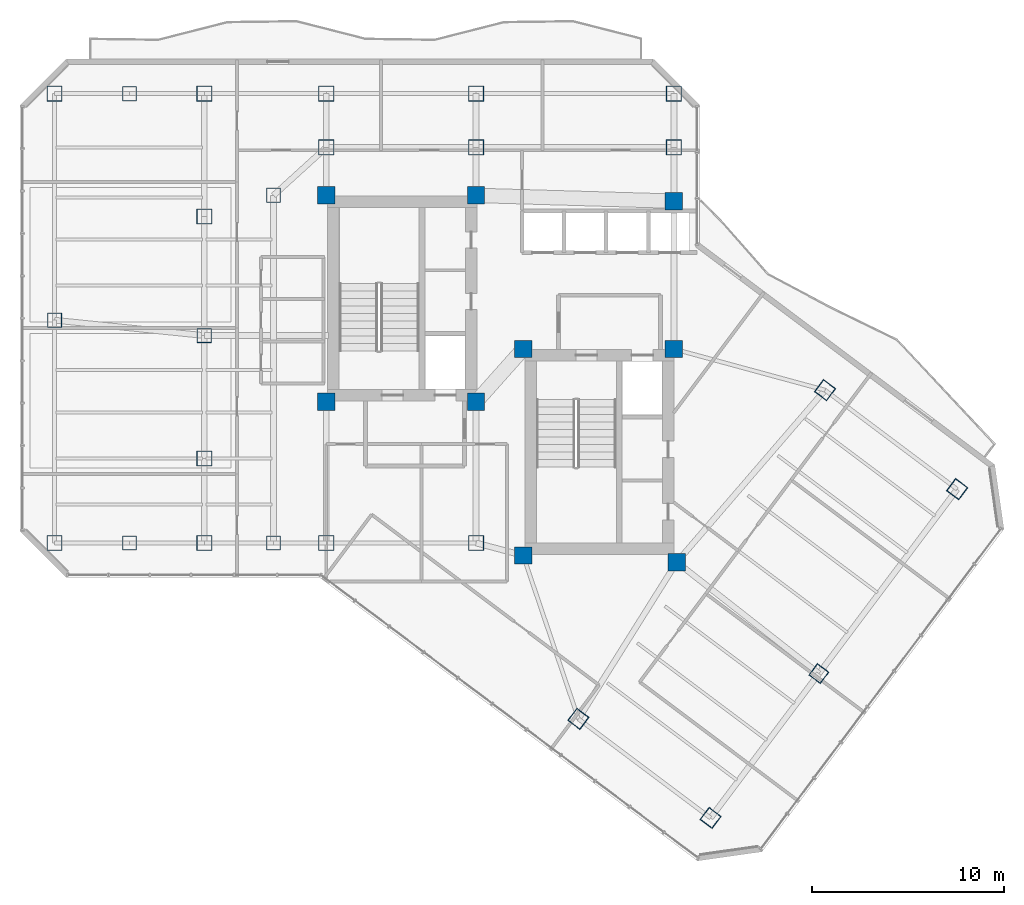
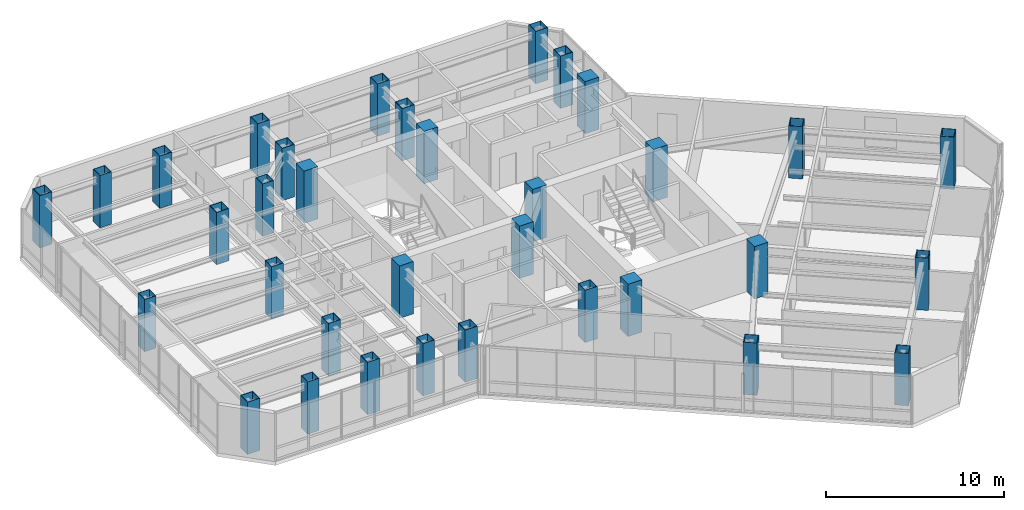
# One storey, part 1 of 29: 34 columns.
"""IFC4 building model written with IfcOpenShell, lengths in metres."""

import ifcopenshell
import ifcopenshell.guid

model = None  # the IFC model being written
_history = None  # IfcOwnerHistory: only IFC2X3 demands one
_inside = {}  # id of a spatial element -> (the spatial element, [elements in it])
_under = {}  # id of a project, library or spatial element -> (it, [spatial elements below it])
_declared = {}  # id of a project -> (the project, [libraries it declares])
_typed = {}  # id of a type object -> (the type object, [elements of that type])
_made_of = {}  # id of a material, layer set ... -> (it, [elements and type objects made of it])


def new_model(schema):
    """Start an empty IFC model of exactly this schema.

    Asked for "IFC4X3", IfcOpenShell would pick the latest addendum, in which some entities
    have other attributes; the version numbers below select the first issue.
    IFC2X3 requires an IfcOwnerHistory on every rooted entity: one is made here for all.
    """
    global model, _history
    if schema == "IFC4X3":
        model = ifcopenshell.file(schema_version=(4, 3, 0, 0))
    else:
        model = ifcopenshell.file(schema=schema)
    _inside.clear()
    _under.clear()
    _declared.clear()
    _typed.clear()
    _made_of.clear()
    _history = None
    if model.schema == "IFC2X3":
        org = make("IfcOrganization", Name="unknown")
        user = make(
            "IfcPersonAndOrganization",
            ThePerson=make("IfcPerson", FamilyName="unknown"),
            TheOrganization=org,
        )
        app = make(
            "IfcApplication",
            ApplicationDeveloper=org,
            Version="unknown",
            ApplicationFullName="unknown",
            ApplicationIdentifier="unknown",
        )
        _history = make(
            "IfcOwnerHistory",
            OwningUser=user,
            OwningApplication=app,
            ChangeAction="ADDED",
            CreationDate=0,
        )
    return model


def make(cls, **values):
    """One entity of the class cls with the attributes given. An attribute that is None is left unset."""
    return model.create_entity(
        cls, **{name: value for name, value in values.items() if value is not None}
    )


def rooted(cls, **values):
    """An entity with a GlobalId (a new one), such as an element, a storey or a relation."""
    return make(cls, GlobalId=ifcopenshell.guid.new(), OwnerHistory=_history, **values)


def si_unit(unit_type, name, prefix=None):
    """IfcSIUnit, for example si_unit("LENGTHUNIT", "METRE", prefix="MILLI")."""
    return make("IfcSIUnit", UnitType=unit_type, Prefix=prefix, Name=name)


def assignment(units):
    """IfcUnitAssignment: the units of a project."""
    return None if units is None else make("IfcUnitAssignment", Units=units)


def point(xyz):
    """IfcCartesianPoint."""
    return None if xyz is None else make("IfcCartesianPoint", Coordinates=xyz)


def direction(xyz):
    """IfcDirection."""
    return None if xyz is None else make("IfcDirection", DirectionRatios=xyz)


def frame(location, z_axis=None, x_axis=None):
    """IfcAxis2Placement3D, a coordinate frame: its origin and axes. An axis left out is left unset."""
    return make(
        "IfcAxis2Placement3D",
        Location=point(location),
        Axis=direction(z_axis),
        RefDirection=direction(x_axis),
    )


def frame_2d(location, x_axis=None):
    """IfcAxis2Placement2D, a coordinate frame in the plane: its origin and x axis."""
    return make(
        "IfcAxis2Placement2D", Location=point(location), RefDirection=direction(x_axis)
    )


def origin():
    """The frame at (0, 0, 0) with its axes left unset."""
    return frame((0.0, 0.0, 0.0))


def origin_2d():
    """The frame at (0, 0) in the plane with its x axis left unset."""
    return frame_2d((0.0, 0.0))


def place(relative_to, where):
    """IfcLocalPlacement: puts the frame where relative to a parent placement (None: the world)."""
    return make(
        "IfcLocalPlacement", PlacementRelTo=relative_to, RelativePlacement=where
    )


def context(
    kind, dimensions, precision=None, world=None, true_north=None, identifier=None
):
    """IfcGeometricRepresentationContext, for example the 3D "Model" context."""
    return make(
        "IfcGeometricRepresentationContext",
        ContextIdentifier=identifier,
        ContextType=kind,
        CoordinateSpaceDimension=dimensions,
        Precision=precision,
        WorldCoordinateSystem=world,
        TrueNorth=true_north,
    )


def subcontext(parent, identifier, kind, view, scale=None):
    """IfcGeometricRepresentationSubContext, for example "Body" below "Model"."""
    return make(
        "IfcGeometricRepresentationSubContext",
        ContextIdentifier=identifier,
        ContextType=kind,
        ParentContext=parent,
        TargetScale=scale,
        TargetView=view,
    )


def project(units=None, contexts=None):
    """IfcProject with its units and contexts."""
    return rooted(
        "IfcProject",
        Name="project",
        RepresentationContexts=contexts,
        UnitsInContext=assignment(units),
    )


def spatial(cls, under=None, at=None, **own):
    """A site, building, storey or space (cls), placed at a placement, below another one or the project."""
    s = rooted(cls, ObjectPlacement=at, **own)
    if under is not None:
        _under.setdefault(under.id(), (under, []))[1].append(s)
    return s


def profile(cls, at=None, kind="AREA", **sizes):
    """A parametric profile (cls). Its sizes go by their IFC names, for example OverallWidth=200.0."""
    return make(cls, ProfileType=kind, Position=at, **sizes)


def rectangle(**sizes):
    """IfcRectangleProfileDef."""
    return profile("IfcRectangleProfileDef", **sizes)


def hollow_rectangle(**sizes):
    """IfcRectangleHollowProfileDef."""
    return profile("IfcRectangleHollowProfileDef", **sizes)


def extrude(swept, where, along, depth):
    """IfcExtrudedAreaSolid: the profile swept, set in the frame where, extruded along a direction by depth."""
    return make(
        "IfcExtrudedAreaSolid",
        SweptArea=swept,
        Position=where,
        ExtrudedDirection=direction(along),
        Depth=depth,
    )


def shape(context_of_items, identifier, shape_type, items):
    """IfcShapeRepresentation: the items that make up one representation, for example the "Body"."""
    return make(
        "IfcShapeRepresentation",
        ContextOfItems=context_of_items,
        RepresentationIdentifier=identifier,
        RepresentationType=shape_type,
        Items=items,
    )


def material(Name=None, Category=None):
    """IfcMaterial."""
    return make("IfcMaterial", Name=Name, Category=Category)


def material_profile(
    of_material, cross_section, Name=None, Category=None, Priority=None
):
    """IfcMaterialProfile: a cross section and its material."""
    return make(
        "IfcMaterialProfile",
        Name=Name,
        Material=of_material,
        Profile=cross_section,
        Priority=Priority,
        Category=Category,
    )


def profile_set(profiles, Name=None, composite=None):
    """IfcMaterialProfileSet."""
    return make(
        "IfcMaterialProfileSet",
        Name=Name,
        MaterialProfiles=profiles,
        CompositeProfile=composite,
    )


def made_of(thing, what):
    """Note that an element or type object is made of a material, layer set ...; save() writes the relation."""
    if what is not None:
        _made_of.setdefault(what.id(), (what, []))[1].append(thing)
    return thing


def type_object(cls, material=None, **own):
    """A type object (cls), such as IfcWallType, which elements share."""
    return made_of(rooted(cls, **own), material)


def element(
    cls,
    number,
    at=None,
    inside=None,
    cuts=None,
    type_object=None,
    material=None,
    context=None,
    identifier="Body",
    shape_type=None,
    held_by="IfcProductDefinitionShape",
    body=None,
    shapes=None,
    **own,
):
    """One element of the class cls, such as IfcWall. Its Tag is "e" and its number.

    at: its placement. inside: the storey or other place that contains it. cuts: it is an
    opening in that element (IfcRelVoidsElement). A single representation is given by context,
    identifier, shape_type and body (its items); several are given by shapes. held_by: the class
    of the entity that holds the representations. save() writes the other relations.
    """
    e = rooted(cls, Tag="e%d" % number, ObjectPlacement=at, **own)
    if body is not None:
        shapes = [shape(context, identifier, shape_type, body)]
    if shapes is not None:
        e.Representation = make(held_by, Representations=shapes)
    if inside is not None:
        _inside.setdefault(inside.id(), (inside, []))[1].append(e)
    if cuts is not None:
        rooted(
            "IfcRelVoidsElement", RelatingBuildingElement=cuts, RelatedOpeningElement=e
        )
    if type_object is not None:
        _typed.setdefault(type_object.id(), (type_object, []))[1].append(e)
    return made_of(e, material)


def aggregate(whole, parts):
    """IfcRelAggregates: a whole, such as a stair, and the parts it consists of."""
    return rooted("IfcRelAggregates", RelatingObject=whole, RelatedObjects=parts)


def save(model, path):
    """Write the relations noted so far, then the file.

    IfcRelAggregates (storeys below a building ...), IfcRelContainedInSpatialStructure (elements
    in a storey), IfcRelDefinesByType, IfcRelAssociatesMaterial and IfcRelDeclares: one each for
    every whole, place, type object, material and project.
    """
    for whole, parts in _under.values():
        aggregate(whole, parts)
    for where, things in _inside.values():
        rooted(
            "IfcRelContainedInSpatialStructure",
            RelatedElements=things,
            RelatingStructure=where,
        )
    for kind, things in _typed.values():
        rooted("IfcRelDefinesByType", RelatedObjects=things, RelatingType=kind)
    for what, things in _made_of.values():
        rooted("IfcRelAssociatesMaterial", RelatedObjects=things, RelatingMaterial=what)
    for by, libraries in _declared.values():
        rooted("IfcRelDeclares", RelatingContext=by, RelatedDefinitions=libraries)
    model.write(path)


model = new_model("IFC4")

# Units and contexts
model_context = context("Model", 3, precision=1e-05, world=origin(), true_north=direction((0.0, 1.0)))
body_context = subcontext(model_context, "Body", "Model", "MODEL_VIEW")
ifc_project = project(units=[si_unit("LENGTHUNIT", "METRE"), si_unit("AREAUNIT", "SQUARE_METRE"), si_unit("VOLUMEUNIT", "CUBIC_METRE"), si_unit("PLANEANGLEUNIT", "RADIAN"), si_unit("MASSUNIT", "GRAM", prefix="KILO")], contexts=[model_context])

# Site, building, storey
site_placement = place(None, origin())
site = spatial("IfcSite", under=ifc_project, at=site_placement, CompositionType="ELEMENT")
building_placement = place(site_placement, origin())
building = spatial("IfcBuilding", under=site, at=building_placement, Name="Hatsunagi Terrace Concourse", CompositionType="ELEMENT")
storey_placement = place(building_placement, frame((0.0, 0.0, 178.050048828125)))
storey = spatial("IfcBuildingStorey", under=building, at=storey_placement, Name="L47", CompositionType="ELEMENT", Elevation=178.050048828125)

# Columns
ifc_material_1 = material(Name="Concrete Fc48", Category="concrete")
ifc_material_profile_1 = material_profile(ifc_material_1, rectangle(XDim=0.89990234375, YDim=0.89990234375, at=origin_2d()), Name="RC-900x900")
ifc_profile_set_1 = profile_set([ifc_material_profile_1], Name="Concrete Fc48")
column_type_1 = type_object("IfcColumnType", Name="CoreColumn_RC_900x900", PredefinedType="COLUMN", material=ifc_profile_set_1)
for number, where, z_axis, x_axis, name in (
    (1, (25.550048828125, 32.550048828125, 0.0), (0.0, 0.0, 1.0), (1.0, 0.0, 0.0), "Column C-02 L47-CASW"),
    (2, (33.35009765625, 32.550048828125, 0.0), (0.0, 0.0, 1.0), (1.0, 0.0, 0.0), "Column C-02 L47-CASE"),
    (3, (25.550048828125, 43.300048828125, 0.0), (0.0, 0.0, 1.0), (1.0, 0.0, 0.0), "Column C-02 L47-CANW"),
    (4, (33.35009765625, 43.300048828125, 0.0), (0.0, 0.0, 1.0), (1.0, 0.0, 0.0), "Column C-02 L47-CANE"),
    (5, (35.800048828125, 24.550048828125, 0.0), (0.0, 0.0, 1.0), (1.0, 0.0, 0.0), "Column C-02 L47-CBSW"),
    (6, (43.800048828125, 24.199951171875, 0.0), (0.0, 0.0, 1.0), (1.0, 0.0, 0.0), "Column C-02 L47-CBSE"),
    (7, (35.800048828125, 35.300048828125, 0.0), (0.0, 0.0, 1.0), (1.0, 0.0, 0.0), "Column C-02 L47-CBNW"),
    (8, (43.64990234375, 35.300048828125, 0.0), (0.0, 0.0, 1.0), (1.0, 0.0, 0.0), "Column C-02 L47-CBNE"),
    (9, (43.64990234375, 43.0, 0.0), (0.0, 0.0, 1.0), (1.0, 0.0, 0.0), "Column C-02 L47-K3"),
):
    element("IfcColumn", number, at=place(storey_placement, frame(where, z_axis=z_axis, x_axis=x_axis)), inside=storey, type_object=column_type_1, Name=name, PredefinedType="COLUMN", context=body_context, shape_type="SweptSolid", body=[
        extrude(rectangle(XDim=0.89990234375, YDim=0.89990234375, at=origin_2d()), origin(), (0.0, 0.0, 1.0), 3.599853515625),
    ])
ifc_material_2 = material(Name="Steel BCP325T", Category="steel")
ifc_material_profile_2 = material_profile(ifc_material_2, hollow_rectangle(XDim=0.75, YDim=0.75, WallThickness=0.028076171875, at=origin_2d()), Name="BCP-750x750x28")
ifc_profile_set_2 = profile_set([ifc_material_profile_2], Name="Steel BCP325T")
column_type_2 = type_object("IfcColumnType", Name="TowerBoxColumn_750x750x28", PredefinedType="COLUMN", material=ifc_profile_set_2)
for number, where, z_axis, x_axis, name in (
    (10, (22.800048828125, 25.199951171875, 0.0), (0.0, 0.0, 1.0), (1.0, 0.0, 0.0), "Column C-07 L47-CW1"),
    (11, (22.800048828125, 43.300048828125, 0.0), (0.0, 0.0, 1.0), (1.0, 0.0, 0.0), "Column C-07 L47-CW2"),
    (12, (11.39990234375, 36.800048828125, 0.0), (0.0, 0.0, 1.0), (1.0, 0.0, 0.0), "Column C-07 L47-WT1"),
    (13, (19.199951171875, 36.0, 0.0), (0.0, 0.0, 1.0), (1.0, 0.0, 0.0), "Column C-07 L47-WT2"),
    (14, (15.300048828125, 25.199951171875, 0.0), (0.0, 0.0, 1.0), (1.0, 0.0, 0.0), "Column C-07 L47-WT3"),
    (15, (15.300048828125, 48.60009765625, 0.0), (0.0, 0.0, 1.0), (1.0, 0.0, 0.0), "Column C-07 L47-WT4"),
    (16, (51.199951171875, 18.39990234375, 0.0), (0.0, 0.0, 1.0), (0.799999996291, -0.600000004945, 0.0), "Column C-07 L47-SEM2"),
):
    element("IfcColumn", number, at=place(storey_placement, frame(where, z_axis=z_axis, x_axis=x_axis)), inside=storey, type_object=column_type_2, Name=name, PredefinedType="COLUMN", context=body_context, shape_type="SweptSolid", body=[
        extrude(hollow_rectangle(XDim=0.75, YDim=0.75, WallThickness=0.028076171875, at=origin_2d()), origin(), (0.0, 0.0, 1.0), 3.599853515625),
    ])
ifc_material_3 = material(Name="Steel BCP325T", Category="steel")
ifc_material_profile_3 = material_profile(ifc_material_3, hollow_rectangle(XDim=0.800048828125, YDim=0.800048828125, WallThickness=0.031982421875, at=origin_2d()), Name="BCP-800x800x32")
ifc_profile_set_3 = profile_set([ifc_material_profile_3], Name="Steel BCP325T")
column_type_3 = type_object("IfcColumnType", Name="TowerBoxColumn_800x800x32", PredefinedType="COLUMN", material=ifc_profile_set_3)
for number, where, z_axis, x_axis, name in (
    (17, (25.550048828125, 25.199951171875, 0.0), (0.0, 0.0, 1.0), (1.0, 0.0, 0.0), "Column C-06 L47-K1"),
    (18, (33.35009765625, 25.199951171875, 0.0), (0.0, 0.0, 1.0), (1.0, 0.0, 0.0), "Column C-06 L47-K2"),
    (19, (25.550048828125, 45.800048828125, 0.0), (0.0, 0.0, 1.0), (1.0, 0.0, 0.0), "Column C-06 L47-CN1"),
    (20, (33.35009765625, 45.800048828125, 0.0), (0.0, 0.0, 1.0), (1.0, 0.0, 0.0), "Column C-06 L47-CN2"),
    (21, (43.64990234375, 45.800048828125, 0.0), (0.0, 0.0, 1.0), (1.0, 0.0, 0.0), "Column C-06 L47-CN3"),
    (22, (11.39990234375, 25.199951171875, 0.0), (0.0, 0.0, 1.0), (1.0, 0.0, 0.0), "Column C-06 L47-WS2"),
    (23, (11.39990234375, 48.60009765625, 0.0), (0.0, 0.0, 1.0), (1.0, 0.0, 0.0), "Column C-06 L47-WN2"),
    (24, (19.199951171875, 48.60009765625, 0.0), (0.0, 0.0, 1.0), (1.0, 0.0, 0.0), "Column C-06 L47-WN3"),
    (25, (25.550048828125, 48.60009765625, 0.0), (0.0, 0.0, 1.0), (1.0, 0.0, 0.0), "Column C-06 L47-WN4"),
    (26, (33.35009765625, 48.60009765625, 0.0), (0.0, 0.0, 1.0), (1.0, 0.0, 0.0), "Column C-06 L47-WN5"),
    (27, (43.64990234375, 48.60009765625, 0.0), (0.0, 0.0, 1.0), (1.0, 0.0, 0.0), "Column C-06 L47-WN6"),
    (28, (19.199951171875, 25.199951171875, 0.0), (0.0, 0.0, 1.0), (1.0, 0.0, 0.0), "Column C-06 L47-WS3"),
    (29, (19.199951171875, 29.60009765625, 0.0), (0.0, 0.0, 1.0), (1.0, 0.0, 0.0), "Column C-06 L47-WR1"),
    (30, (19.199951171875, 42.199951171875, 0.0), (0.0, 0.0, 1.0), (1.0, 0.0, 0.0), "Column C-06 L47-WR2"),
    (31, (38.679931640625, 16.0400390625, 0.0), (0.0, 0.0, 1.0), (0.799999996291, -0.600000004945, 0.0), "Column C-06 L47-SES1"),
    (32, (51.52001953125, 33.159912109375, 0.0), (0.0, 0.0, 1.0), (0.799999996291, -0.600000004945, 0.0), "Column C-06 L47-SEN1"),
    (33, (45.56005859375, 10.8798828125, 0.0), (0.0, 0.0, 1.0), (0.799999996291, -0.600000004945, 0.0), "Column C-06 L47-SES2"),
    (34, (58.39990234375, 28.0, 0.0), (0.0, 0.0, 1.0), (0.799999996291, -0.600000004945, 0.0), "Column C-06 L47-SEN2"),
):
    element("IfcColumn", number, at=place(storey_placement, frame(where, z_axis=z_axis, x_axis=x_axis)), inside=storey, type_object=column_type_3, Name=name, PredefinedType="COLUMN", context=body_context, shape_type="SweptSolid", body=[
        extrude(hollow_rectangle(XDim=0.800048828125, YDim=0.800048828125, WallThickness=0.031982421875, at=origin_2d()), origin(), (0.0, 0.0, 1.0), 3.599853515625),
    ])

save(model, "model.ifc")
